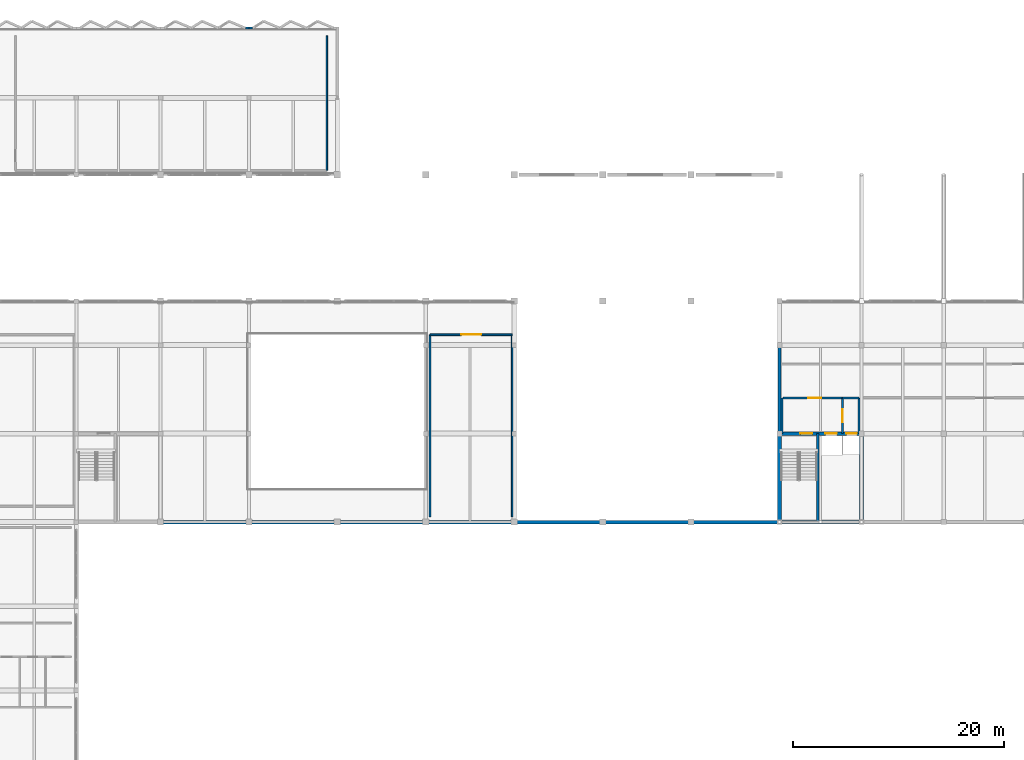
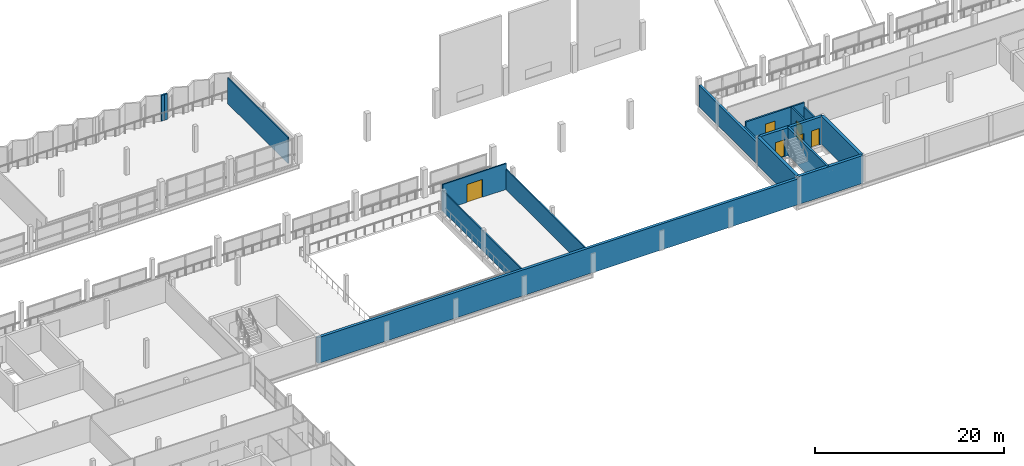
# One storey, part 40 of 51: 18 walls, 6 doors, 6 openings.
"""IFC4 building model written with IfcOpenShell, lengths in metres."""

import ifcopenshell
import ifcopenshell.guid

model = None  # the IFC model being written
_history = None  # IfcOwnerHistory: only IFC2X3 demands one
_inside = {}  # id of a spatial element -> (the spatial element, [elements in it])
_under = {}  # id of a project, library or spatial element -> (it, [spatial elements below it])
_declared = {}  # id of a project -> (the project, [libraries it declares])
_typed = {}  # id of a type object -> (the type object, [elements of that type])
_made_of = {}  # id of a material, layer set ... -> (it, [elements and type objects made of it])


def new_model(schema):
    """Start an empty IFC model of exactly this schema.

    Asked for "IFC4X3", IfcOpenShell would pick the latest addendum, in which some entities
    have other attributes; the version numbers below select the first issue.
    IFC2X3 requires an IfcOwnerHistory on every rooted entity: one is made here for all.
    """
    global model, _history
    if schema == "IFC4X3":
        model = ifcopenshell.file(schema_version=(4, 3, 0, 0))
    else:
        model = ifcopenshell.file(schema=schema)
    _inside.clear()
    _under.clear()
    _declared.clear()
    _typed.clear()
    _made_of.clear()
    _history = None
    if model.schema == "IFC2X3":
        org = make("IfcOrganization", Name="unknown")
        user = make(
            "IfcPersonAndOrganization",
            ThePerson=make("IfcPerson", FamilyName="unknown"),
            TheOrganization=org,
        )
        app = make(
            "IfcApplication",
            ApplicationDeveloper=org,
            Version="unknown",
            ApplicationFullName="unknown",
            ApplicationIdentifier="unknown",
        )
        _history = make(
            "IfcOwnerHistory",
            OwningUser=user,
            OwningApplication=app,
            ChangeAction="ADDED",
            CreationDate=0,
        )
    return model


def make(cls, **values):
    """One entity of the class cls with the attributes given. An attribute that is None is left unset."""
    return model.create_entity(
        cls, **{name: value for name, value in values.items() if value is not None}
    )


def rooted(cls, **values):
    """An entity with a GlobalId (a new one), such as an element, a storey or a relation."""
    return make(cls, GlobalId=ifcopenshell.guid.new(), OwnerHistory=_history, **values)


def si_unit(unit_type, name, prefix=None):
    """IfcSIUnit, for example si_unit("LENGTHUNIT", "METRE", prefix="MILLI")."""
    return make("IfcSIUnit", UnitType=unit_type, Prefix=prefix, Name=name)


def assignment(units):
    """IfcUnitAssignment: the units of a project."""
    return None if units is None else make("IfcUnitAssignment", Units=units)


def point(xyz):
    """IfcCartesianPoint."""
    return None if xyz is None else make("IfcCartesianPoint", Coordinates=xyz)


def direction(xyz):
    """IfcDirection."""
    return None if xyz is None else make("IfcDirection", DirectionRatios=xyz)


def frame(location, z_axis=None, x_axis=None):
    """IfcAxis2Placement3D, a coordinate frame: its origin and axes. An axis left out is left unset."""
    return make(
        "IfcAxis2Placement3D",
        Location=point(location),
        Axis=direction(z_axis),
        RefDirection=direction(x_axis),
    )


def frame_2d(location, x_axis=None):
    """IfcAxis2Placement2D, a coordinate frame in the plane: its origin and x axis."""
    return make(
        "IfcAxis2Placement2D", Location=point(location), RefDirection=direction(x_axis)
    )


def origin():
    """The frame at (0, 0, 0) with its axes left unset."""
    return frame((0.0, 0.0, 0.0))


def place(relative_to, where):
    """IfcLocalPlacement: puts the frame where relative to a parent placement (None: the world)."""
    return make(
        "IfcLocalPlacement", PlacementRelTo=relative_to, RelativePlacement=where
    )


def context(
    kind, dimensions, precision=None, world=None, true_north=None, identifier=None
):
    """IfcGeometricRepresentationContext, for example the 3D "Model" context."""
    return make(
        "IfcGeometricRepresentationContext",
        ContextIdentifier=identifier,
        ContextType=kind,
        CoordinateSpaceDimension=dimensions,
        Precision=precision,
        WorldCoordinateSystem=world,
        TrueNorth=true_north,
    )


def subcontext(parent, identifier, kind, view, scale=None):
    """IfcGeometricRepresentationSubContext, for example "Body" below "Model"."""
    return make(
        "IfcGeometricRepresentationSubContext",
        ContextIdentifier=identifier,
        ContextType=kind,
        ParentContext=parent,
        TargetScale=scale,
        TargetView=view,
    )


def project(units=None, contexts=None):
    """IfcProject with its units and contexts."""
    return rooted(
        "IfcProject",
        Name="project",
        RepresentationContexts=contexts,
        UnitsInContext=assignment(units),
    )


def spatial(cls, under=None, at=None, **own):
    """A site, building, storey or space (cls), placed at a placement, below another one or the project."""
    s = rooted(cls, ObjectPlacement=at, **own)
    if under is not None:
        _under.setdefault(under.id(), (under, []))[1].append(s)
    return s


def profile(cls, at=None, kind="AREA", **sizes):
    """A parametric profile (cls). Its sizes go by their IFC names, for example OverallWidth=200.0."""
    return make(cls, ProfileType=kind, Position=at, **sizes)


def rectangle(**sizes):
    """IfcRectangleProfileDef."""
    return profile("IfcRectangleProfileDef", **sizes)


def extrude(swept, where, along, depth):
    """IfcExtrudedAreaSolid: the profile swept, set in the frame where, extruded along a direction by depth."""
    return make(
        "IfcExtrudedAreaSolid",
        SweptArea=swept,
        Position=where,
        ExtrudedDirection=direction(along),
        Depth=depth,
    )


def shape(context_of_items, identifier, shape_type, items):
    """IfcShapeRepresentation: the items that make up one representation, for example the "Body"."""
    return make(
        "IfcShapeRepresentation",
        ContextOfItems=context_of_items,
        RepresentationIdentifier=identifier,
        RepresentationType=shape_type,
        Items=items,
    )


def material(Name=None, Category=None):
    """IfcMaterial."""
    return make("IfcMaterial", Name=Name, Category=Category)


def layer(
    of_material, thickness, ventilated=None, Name=None, Category=None, Priority=None
):
    """IfcMaterialLayer: one layer of a wall or slab, of a material (None: an air gap)."""
    return make(
        "IfcMaterialLayer",
        Material=of_material,
        LayerThickness=thickness,
        IsVentilated=ventilated,
        Name=Name,
        Category=Category,
        Priority=Priority,
    )


def layer_set(layers, Name=None):
    """IfcMaterialLayerSet."""
    return make("IfcMaterialLayerSet", MaterialLayers=layers, LayerSetName=Name)


def made_of(thing, what):
    """Note that an element or type object is made of a material, layer set ...; save() writes the relation."""
    if what is not None:
        _made_of.setdefault(what.id(), (what, []))[1].append(thing)
    return thing


def type_object(cls, material=None, **own):
    """A type object (cls), such as IfcWallType, which elements share."""
    return made_of(rooted(cls, **own), material)


def element(
    cls,
    number,
    at=None,
    inside=None,
    cuts=None,
    type_object=None,
    material=None,
    context=None,
    identifier="Body",
    shape_type=None,
    held_by="IfcProductDefinitionShape",
    body=None,
    shapes=None,
    **own,
):
    """One element of the class cls, such as IfcWall. Its Tag is "e" and its number.

    at: its placement. inside: the storey or other place that contains it. cuts: it is an
    opening in that element (IfcRelVoidsElement). A single representation is given by context,
    identifier, shape_type and body (its items); several are given by shapes. held_by: the class
    of the entity that holds the representations. save() writes the other relations.
    """
    e = rooted(cls, Tag="e%d" % number, ObjectPlacement=at, **own)
    if body is not None:
        shapes = [shape(context, identifier, shape_type, body)]
    if shapes is not None:
        e.Representation = make(held_by, Representations=shapes)
    if inside is not None:
        _inside.setdefault(inside.id(), (inside, []))[1].append(e)
    if cuts is not None:
        rooted(
            "IfcRelVoidsElement", RelatingBuildingElement=cuts, RelatedOpeningElement=e
        )
    if type_object is not None:
        _typed.setdefault(type_object.id(), (type_object, []))[1].append(e)
    return made_of(e, material)


def fill(opening, filler):
    """IfcRelFillsElement: the door or window that sits in an opening."""
    return rooted(
        "IfcRelFillsElement",
        RelatingOpeningElement=opening,
        RelatedBuildingElement=filler,
    )


def aggregate(whole, parts):
    """IfcRelAggregates: a whole, such as a stair, and the parts it consists of."""
    return rooted("IfcRelAggregates", RelatingObject=whole, RelatedObjects=parts)


def save(model, path):
    """Write the relations noted so far, then the file.

    IfcRelAggregates (storeys below a building ...), IfcRelContainedInSpatialStructure (elements
    in a storey), IfcRelDefinesByType, IfcRelAssociatesMaterial and IfcRelDeclares: one each for
    every whole, place, type object, material and project.
    """
    for whole, parts in _under.values():
        aggregate(whole, parts)
    for where, things in _inside.values():
        rooted(
            "IfcRelContainedInSpatialStructure",
            RelatedElements=things,
            RelatingStructure=where,
        )
    for kind, things in _typed.values():
        rooted("IfcRelDefinesByType", RelatedObjects=things, RelatingType=kind)
    for what, things in _made_of.values():
        rooted("IfcRelAssociatesMaterial", RelatedObjects=things, RelatingMaterial=what)
    for by, libraries in _declared.values():
        rooted("IfcRelDeclares", RelatingContext=by, RelatedDefinitions=libraries)
    model.write(path)


model = new_model("IFC4")

# Units and contexts
model_context = context("Model", 3, precision=1e-05, world=origin(), true_north=direction((0.0, 1.0)))
body_context = subcontext(model_context, "Body", "Model", "MODEL_VIEW")
ifc_project = project(units=[si_unit("LENGTHUNIT", "METRE"), si_unit("AREAUNIT", "SQUARE_METRE"), si_unit("VOLUMEUNIT", "CUBIC_METRE"), si_unit("PLANEANGLEUNIT", "RADIAN"), si_unit("MASSUNIT", "GRAM", prefix="KILO")], contexts=[model_context])

# Site, building, storey
site_placement = place(None, origin())
site = spatial("IfcSite", under=ifc_project, at=site_placement, CompositionType="ELEMENT")
building_placement = place(site_placement, origin())
building = spatial("IfcBuilding", under=site, at=building_placement, Name="Vharandega Faculty of Natural Sciences", CompositionType="ELEMENT")
storey_placement = place(building_placement, frame((0.0, 0.0, 14.39990234375)))
storey = spatial("IfcBuildingStorey", under=building, at=storey_placement, Name="L03", CompositionType="ELEMENT", Elevation=14.39990234375)

# Walls
ifc_material_1 = material(Name="Precast concrete C40/50", Category="concrete")
ifc_layer_1 = layer(ifc_material_1, 0.2099609375, Name="Precast concrete C40/50")
ifc_layer_set_1 = layer_set([ifc_layer_1], Name="Precast concrete C40/50")
wall_type_1 = type_object("IfcWallType", Name="Commons Sawtooth Street Wall 210", PredefinedType="SOLIDWALL", material=ifc_layer_set_1)
wall_1_placement = place(storey_placement, frame((64.050048828125, 110.949951171875, 0.0), z_axis=(0.0, 0.0, 1.0), x_axis=(1.0, 0.0, 0.0)))
element("IfcWall", 1, at=wall_1_placement, inside=storey, type_object=wall_type_1, Name="Exterior Wall EW-V2SHL-L03-9R", PredefinedType="SOLIDWALL", context=body_context, shape_type="SweptSolid", body=[
    extrude(rectangle(XDim=0.349853515625, YDim=0.2099609375, at=frame_2d((0.1748046875, 0.0))), origin(), (0.0, 0.0, 1.0), 3.320068359375),
])
wall_2_placement = place(storey_placement, frame((64.39990234375, 110.949951171875, 0.0), z_axis=(0.0, 0.0, 1.0), x_axis=(1.0, 0.0, 0.0)))
element("IfcWall", 2, at=wall_2_placement, inside=storey, type_object=wall_type_1, Name="Exterior Wall EW-V2SHL-L03-9L", PredefinedType="SOLIDWALL", context=body_context, shape_type="SweptSolid", body=[
    extrude(rectangle(XDim=0.35009765625, YDim=0.2099609375, at=frame_2d((0.175048828125, 0.0))), origin(), (0.0, 0.0, 1.0), 3.320068359375),
])
ifc_material_2 = material(Name="Concrete C40/50", Category="concrete")
ifc_layer_2 = layer(ifc_material_2, 0.35009765625, Name="Concrete C40/50")
ifc_layer_set_2 = layer_set([ifc_layer_2], Name="Concrete C40/50")
wall_type_2 = type_object("IfcWallType", Name="Core Shear Wall 350", PredefinedType="SHEAR", material=ifc_layer_set_2)
wall_3_placement = place(storey_placement, frame((114.800048828125, 64.0, 0.0), z_axis=(0.0, 0.0, 1.0), x_axis=(1.0, 0.0, 0.0)))
element("IfcWall", 3, at=wall_3_placement, inside=storey, type_object=wall_type_2, Name="Interior Wall CW-C1-L03-S", PredefinedType="SHEAR", context=body_context, shape_type="SweptSolid", body=[
    extrude(rectangle(XDim=7.800048828125, YDim=0.35009765625, at=frame_2d((3.89990234375, 0.0))), origin(), (0.0, 0.0, 1.0), 3.60009765625),
])
for number, where, z_axis, x_axis, name in (
    (4, (114.800048828125, 64.0, 0.0), (0.0, 0.0, 1.0), (0.0, 1.0, 0.0), "Interior Wall CW-C1-L03-W"),
    (5, (122.60009765625, 64.0, 0.0), (0.0, 0.0, 1.0), (0.0, 1.0, 0.0), "Interior Wall CW-C1-L03-E"),
):
    element("IfcWall", number, at=place(storey_placement, frame(where, z_axis=z_axis, x_axis=x_axis)), inside=storey, type_object=wall_type_2, Name=name, PredefinedType="SHEAR", context=body_context, shape_type="SweptSolid", body=[
        extrude(rectangle(XDim=8.39990234375, YDim=0.35009765625, at=frame_2d((4.199951171875, 0.0))), origin(), (0.0, 0.0, 1.0), 3.60009765625),
    ])

# Wall, openings, doors
wall_4_placement = place(storey_placement, frame((114.800048828125, 72.39990234375, 0.0), z_axis=(0.0, 0.0, 1.0), x_axis=(1.0, 0.0, 0.0)))
wall_4 = element("IfcWall", 6, at=wall_4_placement, inside=storey, type_object=wall_type_2, Name="Interior Wall CW-C1-L03-N", PredefinedType="SHEAR", context=body_context, shape_type="SweptSolid", body=[
    extrude(rectangle(XDim=7.800048828125, YDim=0.35009765625, at=frame_2d((3.89990234375, 0.0))), origin(), (0.0, 0.0, 1.0), 3.60009765625),
])
opening_1_placement = place(wall_4_placement, frame((1.97998046875, 0.0, 0.0)))
opening_1 = element("IfcOpeningElement", 7, at=opening_1_placement, cuts=wall_4, Name="Opening FD1", PredefinedType="OPENING", context=body_context, shape_type="SweptSolid", body=[
    extrude(rectangle(XDim=1.14990234375, YDim=2.199951171875, at=frame_2d((0.574951171875, 1.10009765625))), frame((0.0, 0.18505859375, 0.0), z_axis=(0.0, -1.0, 0.0), x_axis=(1.0, 0.0, 0.0)), (0.0, 0.0, 1.0), 0.3701171875),
])
opening_2_placement = place(wall_4_placement, frame((4.35009765625, 0.0, 0.0)))
opening_2 = element("IfcOpeningElement", 8, at=opening_2_placement, cuts=wall_4, Name="Opening LD-FL1-L03", PredefinedType="OPENING", context=body_context, shape_type="SweptSolid", body=[
    extrude(rectangle(XDim=1.10009765625, YDim=2.14990234375, at=frame_2d((0.550048828125, 1.074951171875))), frame((0.0, 0.18505859375, 0.0), z_axis=(0.0, -1.0, 0.0), x_axis=(1.0, 0.0, 0.0)), (0.0, 0.0, 1.0), 0.3701171875),
])
opening_3_placement = place(wall_4_placement, frame((6.360107421875, 0.0, 0.0)))
opening_3 = element("IfcOpeningElement", 9, at=opening_3_placement, cuts=wall_4, Name="Opening LD-LP1-L03", PredefinedType="OPENING", context=body_context, shape_type="SweptSolid", body=[
    extrude(rectangle(XDim=1.0, YDim=2.14990234375, at=frame_2d((0.5, 1.074951171875))), frame((0.0, 0.18505859375, 0.0), z_axis=(0.0, -1.0, 0.0), x_axis=(1.0, 0.0, 0.0)), (0.0, 0.0, 1.0), 0.3701171875),
])
ifc_material_3 = material(Name="Solid-core hardwood timber fire door", Category="wood")
door_type_1 = type_object("IfcDoorType", Name="FD1-STAIR-1150x2200", OperationType="NOTDEFINED", PredefinedType="DOOR", material=ifc_material_3)
door_1_placement = place(opening_1_placement, origin())
door_1 = element("IfcDoor", 10, at=door_1_placement, inside=storey, type_object=door_type_1, Name="Stair ST1 Fire Door FD1", OperationType="SINGLE_SWING_LEFT", OverallHeight=2.199951171875, OverallWidth=1.14990234375, PredefinedType="DOOR", context=body_context, shape_type="SweptSolid", body=[
    extrude(rectangle(XDim=1.14990234375, YDim=2.199951171875, at=frame_2d((0.574951171875, 1.10009765625))), frame((0.0, 0.02490234375, 0.0), z_axis=(0.0, -1.0, 0.0), x_axis=(1.0, 0.0, 0.0)), (0.0, 0.0, 1.0), 0.050048828125),
])
fill(opening_1, door_1)
ifc_material_4 = material(Name="Brushed stainless steel sliding landing door", Category="steel")
door_type_2 = type_object("IfcDoorType", Name="LD1-FFLIFT-SLIDING-1100x2150", OperationType="DOUBLE_DOOR_SLIDING", PredefinedType="DOOR", material=ifc_material_4)
door_2_placement = place(opening_2_placement, origin())
door_2 = element("IfcDoor", 11, at=door_2_placement, inside=storey, type_object=door_type_2, Name="Lift Landing Door LD-FL1-L03", OperationType="DOUBLE_DOOR_SLIDING", OverallHeight=2.14990234375, OverallWidth=1.10009765625, PredefinedType="DOOR", context=body_context, shape_type="SweptSolid", body=[
    extrude(rectangle(XDim=1.10009765625, YDim=2.14990234375, at=frame_2d((0.550048828125, 1.074951171875))), frame((0.0, 0.02490234375, 0.0), z_axis=(0.0, -1.0, 0.0), x_axis=(1.0, 0.0, 0.0)), (0.0, 0.0, 1.0), 0.050048828125),
])
fill(opening_2, door_2)
ifc_material_5 = material(Name="Brushed stainless steel sliding landing door", Category="steel")
door_type_3 = type_object("IfcDoorType", Name="LD2-PAXLIFT-SLIDING-1000x2150", OperationType="DOUBLE_DOOR_SLIDING", PredefinedType="DOOR", material=ifc_material_5)
door_3_placement = place(opening_3_placement, origin())
door_3 = element("IfcDoor", 12, at=door_3_placement, inside=storey, type_object=door_type_3, Name="Lift Landing Door LD-LP1-L03", OperationType="DOUBLE_DOOR_SLIDING", OverallHeight=2.14990234375, OverallWidth=1.0, PredefinedType="DOOR", context=body_context, shape_type="SweptSolid", body=[
    extrude(rectangle(XDim=1.0, YDim=2.14990234375, at=frame_2d((0.5, 1.074951171875))), frame((0.0, 0.02490234375, 0.0), z_axis=(0.0, -1.0, 0.0), x_axis=(1.0, 0.0, 0.0)), (0.0, 0.0, 1.0), 0.050048828125),
])
fill(opening_3, door_3)

# Wall, opening, door
ifc_material_6 = material(Name="Concrete C40/50", Category="concrete")
ifc_layer_3 = layer(ifc_material_6, 0.199951171875, Name="Concrete C40/50")
ifc_layer_set_3 = layer_set([ifc_layer_3], Name="Concrete C40/50")
wall_type_3 = type_object("IfcWallType", Name="Firefighting Lobby Wall 200", PredefinedType="PARTITIONING", material=ifc_layer_set_3)
wall_5_placement = place(storey_placement, frame((115.14990234375, 75.800048828125, 0.0), z_axis=(0.0, 0.0, 1.0), x_axis=(1.0, 0.0, 0.0)))
wall_5 = element("IfcWall", 13, at=wall_5_placement, inside=storey, type_object=wall_type_3, Name="Interior Wall PW-FFL-C1-L03-N", PredefinedType="PARTITIONING", context=body_context, shape_type="SweptSolid", body=[
    extrude(rectangle(XDim=5.650146484375, YDim=0.199951171875, at=frame_2d((2.8251953125, 0.0))), origin(), (0.0, 0.0, 1.0), 3.320068359375),
])
opening_4_placement = place(wall_5_placement, frame((2.39990234375, 0.0, 0.0)))
opening_4 = element("IfcOpeningElement", 14, at=opening_4_placement, cuts=wall_5, Name="Opening FD2", PredefinedType="OPENING", context=body_context, shape_type="SweptSolid", body=[
    extrude(rectangle(XDim=1.199951171875, YDim=2.199951171875, at=frame_2d((0.60009765625, 1.10009765625))), frame((0.0, 0.10986328125, 0.0), z_axis=(0.0, -1.0, 0.0), x_axis=(1.0, 0.0, 0.0)), (0.0, 0.0, 1.0), 0.219970703125),
])
ifc_material_7 = material(Name="Solid-core hardwood timber fire door", Category="wood")
door_type_4 = type_object("IfcDoorType", Name="FD2-FFLOBBY-1200x2200", OperationType="NOTDEFINED", PredefinedType="DOOR", material=ifc_material_7)
door_4_placement = place(opening_4_placement, origin())
door_4 = element("IfcDoor", 15, at=door_4_placement, inside=storey, type_object=door_type_4, Name="Firefighting Lobby C1 Door FD2", OperationType="SINGLE_SWING_LEFT", OverallHeight=2.199951171875, OverallWidth=1.199951171875, PredefinedType="DOOR", context=body_context, shape_type="SweptSolid", body=[
    extrude(rectangle(XDim=1.199951171875, YDim=2.199951171875, at=frame_2d((0.60009765625, 1.10009765625))), frame((0.0, 0.02490234375, 0.0), z_axis=(0.0, -1.0, 0.0), x_axis=(1.0, 0.0, 0.0)), (0.0, 0.0, 1.0), 0.050048828125),
])
fill(opening_4, door_4)

# Wall
wall_6_placement = place(storey_placement, frame((115.050048828125, 72.39990234375, 0.0), z_axis=(0.0, 0.0, 1.0), x_axis=(0.0, 1.0, 0.0)))
element("IfcWall", 16, at=wall_6_placement, inside=storey, type_object=wall_type_3, Name="Interior Wall PW-FFL-C1-L03-W", PredefinedType="PARTITIONING", context=body_context, shape_type="SweptSolid", body=[
    extrude(rectangle(XDim=3.400146484375, YDim=0.199951171875, at=frame_2d((1.7001953125, 0.0))), origin(), (0.0, 0.0, 1.0), 2.760009765625),
])

# Wall, opening, door
wall_7_placement = place(storey_placement, frame((120.800048828125, 72.39990234375, 0.0), z_axis=(0.0, 0.0, 1.0), x_axis=(0.0, 1.0, 0.0)))
wall_7 = element("IfcWall", 17, at=wall_7_placement, inside=storey, type_object=wall_type_3, Name="Interior Wall PW-FFL-C1-L03-E", PredefinedType="PARTITIONING", context=body_context, shape_type="SweptSolid", body=[
    extrude(rectangle(XDim=3.400146484375, YDim=0.199951171875, at=frame_2d((1.7001953125, 0.0))), origin(), (0.0, 0.0, 1.0), 3.320068359375),
])
opening_5_placement = place(wall_7_placement, frame((1.10009765625, 0.0, 0.0)))
opening_5 = element("IfcOpeningElement", 18, at=opening_5_placement, cuts=wall_7, Name="Opening FD2", PredefinedType="OPENING", context=body_context, shape_type="SweptSolid", body=[
    extrude(rectangle(XDim=1.199951171875, YDim=2.199951171875, at=frame_2d((0.60009765625, 1.10009765625))), frame((0.0, 0.10986328125, 0.0), z_axis=(0.0, -1.0, 0.0), x_axis=(1.0, 0.0, 0.0)), (0.0, 0.0, 1.0), 0.219970703125),
])
door_5_placement = place(opening_5_placement, origin())
door_5 = element("IfcDoor", 19, at=door_5_placement, inside=storey, type_object=door_type_4, Name="Lobby Interconnect C1 Door FD2", OperationType="SINGLE_SWING_RIGHT", OverallHeight=2.199951171875, OverallWidth=1.199951171875, PredefinedType="DOOR", context=body_context, shape_type="SweptSolid", body=[
    extrude(rectangle(XDim=1.199951171875, YDim=2.199951171875, at=frame_2d((0.60009765625, 1.10009765625))), frame((0.0, 0.02490234375, 0.0), z_axis=(0.0, -1.0, 0.0), x_axis=(1.0, 0.0, 0.0)), (0.0, 0.0, 1.0), 0.050048828125),
])
fill(opening_5, door_5)

# Walls
wall_8_placement = place(storey_placement, frame((120.800048828125, 75.800048828125, 0.0), z_axis=(0.0, 0.0, 1.0), x_axis=(1.0, 0.0, 0.0)))
element("IfcWall", 20, at=wall_8_placement, inside=storey, type_object=wall_type_3, Name="Interior Wall PW-LL-C1-L03-N", PredefinedType="PARTITIONING", context=body_context, shape_type="SweptSolid", body=[
    extrude(rectangle(XDim=1.550048828125, YDim=0.199951171875, at=frame_2d((0.77490234375, 0.0))), origin(), (0.0, 0.0, 1.0), 3.320068359375),
])
wall_9_placement = place(storey_placement, frame((122.35009765625, 72.39990234375, 0.0), z_axis=(0.0, 0.0, 1.0), x_axis=(0.0, 1.0, 0.0)))
element("IfcWall", 21, at=wall_9_placement, inside=storey, type_object=wall_type_3, Name="Interior Wall PW-LL-C1-L03-E", PredefinedType="PARTITIONING", context=body_context, shape_type="SweptSolid", body=[
    extrude(rectangle(XDim=3.400146484375, YDim=0.199951171875, at=frame_2d((1.7001953125, 0.0))), origin(), (0.0, 0.0, 1.0), 2.760009765625),
])
ifc_material_8 = material(Name="Granite ashlar masonry 25 MPa", Category="masonry")
ifc_layer_4 = layer(ifc_material_8, 0.340087890625, Name="Granite ashlar masonry 25 MPa")
ifc_layer_set_4 = layer_set([ifc_layer_4], Name="Granite ashlar masonry 25 MPa")
wall_type_4 = type_object("IfcWallType", Name="Imperforate Party Wall 340", PredefinedType="SOLIDWALL", material=ifc_layer_set_4)
wall_10_placement = place(storey_placement, frame((114.800048828125, 64.0, 0.0), z_axis=(0.0, 0.0, 1.0), x_axis=(-1.0, 0.0, 0.0)))
element("IfcWall", 22, at=wall_10_placement, inside=storey, type_object=wall_type_4, Name="Exterior Wall EW-PTY-L03-J1", PredefinedType="SOLIDWALL", context=body_context, shape_type="SweptSolid", body=[
    extrude(rectangle(XDim=58.800048828125, YDim=0.340087890625, at=frame_2d((29.39990234375, 0.0))), origin(), (0.0, 0.0, 1.0), 3.340087890625),
])

# Wall, opening, door
ifc_material_9 = material(Name="Gypsum fire-board on steel stud", Category="steel")
ifc_layer_5 = layer(ifc_material_9, 0.159912109375, Name="Gypsum fire-board on steel stud")
ifc_layer_set_5 = layer_set([ifc_layer_5], Name="Gypsum fire-board on steel stud")
wall_type_5 = type_object("IfcWallType", Name="Laboratory Fire Corridor Wall 160", PredefinedType="PARTITIONING", material=ifc_layer_set_5)
wall_11_placement = place(storey_placement, frame((81.60009765625, 81.800048828125, 0.0), z_axis=(0.0, 0.0, 1.0), x_axis=(1.0, 0.0, 0.0)))
wall_11 = element("IfcWall", 23, at=wall_11_placement, inside=storey, type_object=wall_type_5, Name="Interior Wall PW-L03-R14N", PredefinedType="PARTITIONING", context=body_context, shape_type="SweptSolid", body=[
    extrude(rectangle(XDim=7.7998046875, YDim=0.159912109375, at=frame_2d((3.89990234375, 0.0))), origin(), (0.0, 0.0, 1.0), 3.340087890625),
])
opening_6_placement = place(wall_11_placement, frame((2.949951171875, 0.0, 0.0)))
opening_6 = element("IfcOpeningElement", 24, at=opening_6_placement, cuts=wall_11, Name="Opening D0294", PredefinedType="OPENING", context=body_context, shape_type="SweptSolid", body=[
    extrude(rectangle(XDim=1.89990234375, YDim=2.300048828125, at=frame_2d((0.949951171875, 1.14990234375))), frame((0.0, 0.08984375, 0.0), z_axis=(0.0, -1.0, 0.0), x_axis=(1.0, 0.0, 0.0)), (0.0, 0.0, 1.0), 0.179931640625),
])
ifc_material_10 = material(Name="Solid-core hardwood timber fire door", Category="wood")
door_type_5 = type_object("IfcDoorType", Name="ID08-COMMONS-DBL-1900x2300", OperationType="DOUBLE_DOOR_SINGLE_SWING", PredefinedType="DOOR", material=ifc_material_10)
door_6_placement = place(opening_6_placement, origin())
door_6 = element("IfcDoor", 25, at=door_6_placement, inside=storey, type_object=door_type_5, Name="L03 Atrium East Study Gallery Door D0294", OperationType="DOUBLE_DOOR_SINGLE_SWING", OverallHeight=2.300048828125, OverallWidth=1.89990234375, PredefinedType="DOOR", context=body_context, shape_type="SweptSolid", body=[
    extrude(rectangle(XDim=1.89990234375, YDim=2.300048828125, at=frame_2d((0.949951171875, 1.14990234375))), frame((0.0, 0.02490234375, 0.0), z_axis=(0.0, -1.0, 0.0), x_axis=(1.0, 0.0, 0.0)), (0.0, 0.0, 1.0), 0.050048828125),
])
fill(opening_6, door_6)

# Walls
for number, where, z_axis, x_axis, name in (
    (26, (81.60009765625, 64.5, 0.0), (0.0, 0.0, 1.0), (0.0, 1.0, 0.0), "Interior Wall PW-L03-R14W"),
    (27, (89.39990234375, 64.5, 0.0), (0.0, 0.0, 1.0), (0.0, 1.0, 0.0), "Interior Wall PW-L03-R14E"),
):
    element("IfcWall", number, at=place(storey_placement, frame(where, z_axis=z_axis, x_axis=x_axis)), inside=storey, type_object=wall_type_5, Name=name, PredefinedType="PARTITIONING", context=body_context, shape_type="SweptSolid", body=[
        extrude(rectangle(XDim=17.300048828125, YDim=0.159912109375, at=frame_2d((8.64990234375, 0.0))), origin(), (0.0, 0.0, 1.0), 2.601806640625),
    ])
ifc_material_11 = material(Name="Concrete C40/50", Category="concrete")
ifc_layer_6 = layer(ifc_material_11, 0.260009765625, Name="Concrete C40/50")
ifc_layer_set_6 = layer_set([ifc_layer_6], Name="Concrete C40/50")
wall_type_6 = type_object("IfcWallType", Name="Lift Shaft Shear Wall 260", PredefinedType="SHEAR", material=ifc_layer_set_6)
wall_12_placement = place(storey_placement, frame((118.43994140625, 64.0, 0.0), z_axis=(0.0, 0.0, 1.0), x_axis=(0.0, 1.0, 0.0)))
element("IfcWall", 28, at=wall_12_placement, inside=storey, type_object=wall_type_6, Name="Interior Wall CW-C1-L03-DIV", PredefinedType="SHEAR", context=body_context, shape_type="SweptSolid", body=[
    extrude(rectangle(XDim=8.39990234375, YDim=0.260009765625, at=frame_2d((4.199951171875, 0.0))), origin(), (0.0, 0.0, 1.0), 3.60009765625),
])
ifc_material_12 = material(Name="Gypsum acoustic partition", Category="gypsum")
ifc_layer_7 = layer(ifc_material_12, 0.139892578125, Name="Gypsum acoustic partition")
ifc_layer_set_7 = layer_set([ifc_layer_7], Name="Gypsum acoustic partition")
wall_type_7 = type_object("IfcWallType", Name="Room Partition Wall 140", PredefinedType="PARTITIONING", material=ifc_layer_set_7)
wall_13_placement = place(storey_placement, frame((71.800048828125, 97.39990234375, 0.0), z_axis=(0.0, 0.0, 1.0), x_axis=(0.0, 1.0, 0.0)))
element("IfcWall", 29, at=wall_13_placement, inside=storey, type_object=wall_type_7, Name="Interior Wall PW-L03-R11E", PredefinedType="PARTITIONING", context=body_context, shape_type="SweptSolid", body=[
    extrude(rectangle(XDim=12.800048828125, YDim=0.139892578125, at=frame_2d((6.39990234375, 0.0))), origin(), (0.0, 0.0, 1.0), 3.340087890625),
])
ifc_material_13 = material(Name="Precast concrete C40/50", Category="concrete")
ifc_layer_8 = layer(ifc_material_13, 0.280029296875, Name="Precast concrete C40/50")
ifc_layer_set_8 = layer_set([ifc_layer_8], Name="Precast concrete C40/50")
wall_type_8 = type_object("IfcWallType", Name="White Precast End Wall 280", PredefinedType="SOLIDWALL", material=ifc_layer_set_8)
wall_14_placement = place(storey_placement, frame((114.800048828125, 72.60009765625, 0.0), z_axis=(0.0, 0.0, 1.0), x_axis=(0.0, 1.0, 0.0)))
element("IfcWall", 30, at=wall_14_placement, inside=storey, type_object=wall_type_8, Name="Exterior Wall EW-L03-V4W", PredefinedType="SOLIDWALL", context=body_context, shape_type="SweptSolid", body=[
    extrude(rectangle(XDim=12.15185546875, YDim=0.280029296875, at=frame_2d((6.075927734375, 0.0))), origin(), (0.0, 0.0, 1.0), 2.760009765625),
])

save(model, "model.ifc")
